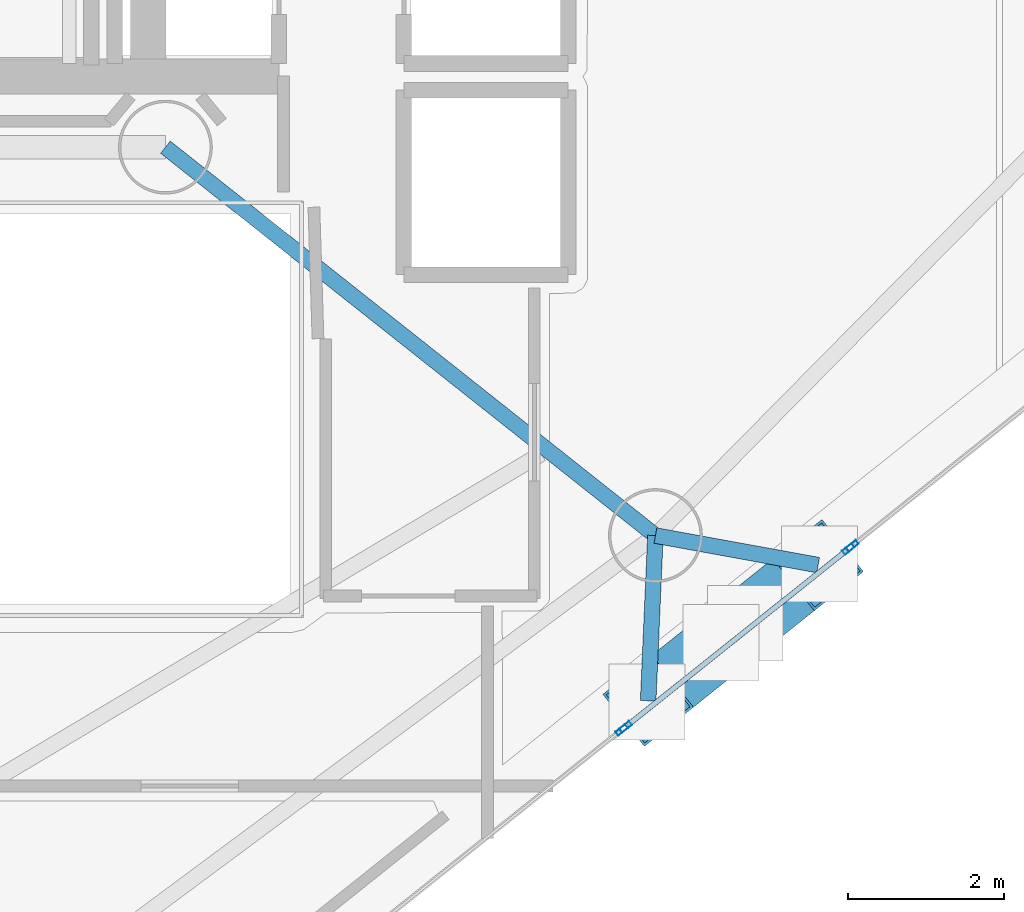
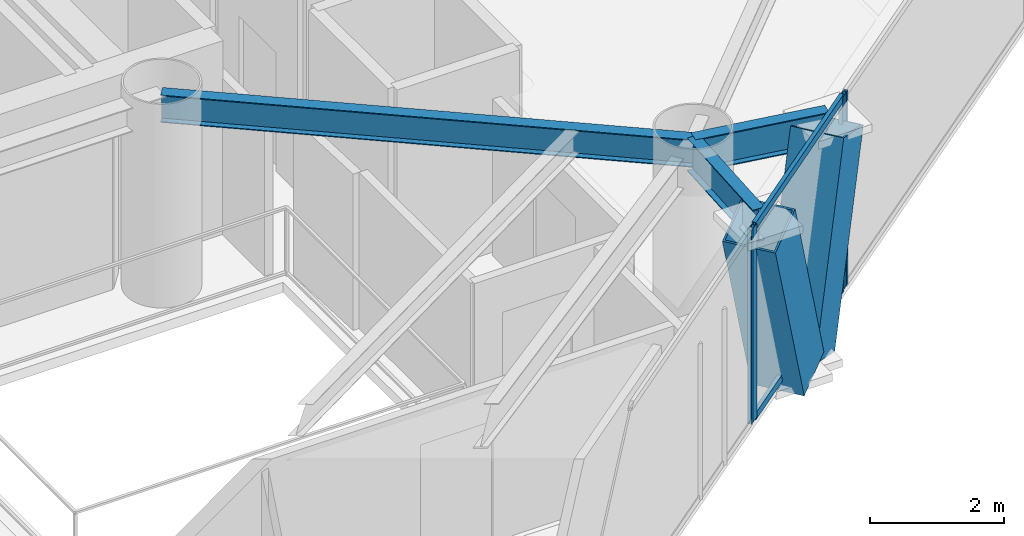
# One storey, part 5 of 22: 8 members, 3 beams, 3 elements without a shape of their own.
"""IFC4 building model written with IfcOpenShell, lengths in metres."""

from ifc_helpers import new_model, si_unit, direction, frame, origin, origin_2d, place, context, subcontext, project, spatial, hollow_rectangle, i_section, extrude, material, layer, layer_set, material_profile, profile_set, type_object, element, aggregate, save


model = new_model("IFC4")

# Units and contexts
model_context = context("Model", 3, precision=1e-05, world=origin(), true_north=direction((0.0, 1.0)))
body_context = subcontext(model_context, "Body", "Model", "MODEL_VIEW")
ifc_project = project(units=[si_unit("LENGTHUNIT", "METRE"), si_unit("AREAUNIT", "SQUARE_METRE"), si_unit("VOLUMEUNIT", "CUBIC_METRE"), si_unit("PLANEANGLEUNIT", "RADIAN"), si_unit("MASSUNIT", "GRAM", prefix="KILO")], contexts=[model_context])

# Site, building, storey
site_placement = place(None, origin())
site = spatial("IfcSite", under=ifc_project, at=site_placement, CompositionType="ELEMENT")
building_placement = place(site_placement, origin())
building = spatial("IfcBuilding", under=site, at=building_placement, Name="Qianvela Tower", CompositionType="ELEMENT")
storey_placement = place(building_placement, frame((0.0, 0.0, 207.699951171875)))
storey = spatial("IfcBuildingStorey", under=building, at=storey_placement, Name="L53", CompositionType="ELEMENT", Elevation=207.699951171875)

# Beams
ifc_material_1 = material(Name="Steel Q355B", Category="steel")
ifc_material_profile_1 = material_profile(ifc_material_1, i_section(OverallWidth=0.199951171875, OverallDepth=0.5, WebThickness=0.010009765625, FlangeThickness=0.01611328125, at=origin_2d()), Name="HN500x200x10x16")
ifc_profile_set_1 = profile_set([ifc_material_profile_1], Name="Steel Q355B")
beam_type_1 = type_object("IfcBeamType", Name="BM-HN500-GIRD", PredefinedType="BEAM", material=ifc_profile_set_1)
beam_placement = place(storey_placement, frame((38.39990234375, 23.85009765625, 3.26806640625), z_axis=(0.783705217119, -0.621132942824, 0.0), x_axis=(0.621132942824, 0.783705217119, 0.0)))
element("IfcBeam", 1, at=beam_placement, inside=storey, type_object=beam_type_1, Name="L53 Radial Primary Floor Girder 6", PredefinedType="BEAM", context=body_context, shape_type="SweptSolid", body=[
    extrude(i_section(OverallWidth=0.199951171875, OverallDepth=0.5, WebThickness=0.010009765625, FlangeThickness=0.01611328125, at=origin_2d()), origin(), (0.0, 0.0, 1.0), 7.996826171875),
])
ifc_material_2 = material(Name="Steel Q355B", Category="steel")
ifc_material_profile_2 = material_profile(ifc_material_2, i_section(OverallWidth=0.199951171875, OverallDepth=0.60009765625, WebThickness=0.010986328125, FlangeThickness=0.01708984375, at=origin_2d()), Name="HN600x200x11x17")
ifc_profile_set_2 = profile_set([ifc_material_profile_2], Name="Steel Q355B")
beam_type_2 = type_object("IfcBeamType", Name="BM-HN600-GIRD", PredefinedType="BEAM", material=ifc_profile_set_2)
for number, where, z_axis, x_axis, name in (
    (2, (44.6669921875, 18.883056640625, 3.218017578125), (-0.043847831382, -0.999038221332, 0.0), (0.999038221332, -0.043847831382, 0.0), "L53 Mega-Brace Column Tie Bracket F3-1"),
    (3, (44.6669921875, 18.883056640625, 3.218017578125), (0.98387360259, -0.178865128315, 0.0), (0.178865128315, 0.98387360259, 0.0), "L53 Mega-Brace Column Tie Bracket F3-2"),
):
    element("IfcBeam", number, at=place(storey_placement, frame(where, z_axis=z_axis, x_axis=x_axis)), inside=storey, type_object=beam_type_2, Name=name, PredefinedType="BEAM", context=body_context, shape_type="SweptSolid", body=[
        extrude(i_section(OverallWidth=0.199951171875, OverallDepth=0.60009765625, WebThickness=0.010986328125, FlangeThickness=0.01708984375, at=origin_2d()), origin(), (0.0, 0.0, 1.0), 2.11572265625),
    ])

# Curtain wall, members
ifc_material_3 = material(Name="Anodised Architectural Aluminium and Insulated Spandrel Panel", Category="aluminium")
ifc_layer_1 = layer(ifc_material_3, 0.179931640625)
ifc_layer_set_1 = layer_set([ifc_layer_1], Name="Anodised Architectural Aluminium and Insulated Spandrel Panel")
curtain_wall_type_1 = type_object("IfcCurtainWallType", Name="CW-BRACEBAY", PredefinedType="USERDEFINED", material=ifc_layer_set_1)
curtain_wall_1_placement = place(storey_placement, origin())
curtain_wall_1 = element("IfcCurtainWall", 4, at=curtain_wall_1_placement, inside=storey, type_object=curtain_wall_type_1, Name="L53 CW-BRACEBAY Curtain Wall 06B", ObjectType="CURTAIN_WALL_SYSTEM", PredefinedType="USERDEFINED")
ifc_material_4 = material(Name="Anodised Architectural Aluminium 6063-T6", Category="aluminium")
ifc_material_profile_3 = material_profile(ifc_material_4, hollow_rectangle(XDim=0.06494140625, YDim=0.159912109375, WallThickness=0.0048828125, at=origin_2d()), Name="ALU-MULL-65x160")
ifc_profile_set_3 = profile_set([ifc_material_profile_3], Name="Anodised Architectural Aluminium 6063-T6")
member_type_1 = type_object("IfcMemberType", Name="CW-BRACEBAY-MULL", PredefinedType="MULLION", material=ifc_profile_set_3)
member_1_placement = place(storey_placement, frame((44.28662109375, 16.4375, 0.0), z_axis=(0.0, 0.0, 1.0), x_axis=(-0.62378079685, 0.781599333086, 0.0)))
member_1 = element("IfcMember", 5, at=member_1_placement, type_object=member_type_1, Name="CW-9 mullion 1", PredefinedType="MULLION", context=body_context, shape_type="SweptSolid", body=[
    extrude(hollow_rectangle(XDim=0.06494140625, YDim=0.159912109375, WallThickness=0.0048828125, at=origin_2d()), origin(), (0.0, 0.0, 1.0), 3.52001953125),
])
member_2_placement = place(storey_placement, frame((47.135498046875, 18.711181640625, 0.0), z_axis=(0.0, 0.0, 1.0), x_axis=(-0.62378079685, 0.781599333086, 0.0)))
member_2 = element("IfcMember", 6, at=member_2_placement, type_object=member_type_1, Name="CW-9 mullion 2", PredefinedType="MULLION", context=body_context, shape_type="SweptSolid", body=[
    extrude(hollow_rectangle(XDim=0.06494140625, YDim=0.159912109375, WallThickness=0.0048828125, at=origin_2d()), origin(), (0.0, 0.0, 1.0), 3.52001953125),
])
ifc_material_5 = material(Name="Anodised Architectural Aluminium 6063-T6", Category="aluminium")
ifc_material_profile_4 = material_profile(ifc_material_5, hollow_rectangle(XDim=0.06494140625, YDim=0.1298828125, WallThickness=0.00439453125, at=origin_2d()), Name="ALU-TRAN-65x130")
ifc_profile_set_4 = profile_set([ifc_material_profile_4], Name="Anodised Architectural Aluminium 6063-T6")
member_type_2 = type_object("IfcMemberType", Name="CW-BRACEBAY-TRAN", PredefinedType="USERDEFINED", material=ifc_profile_set_4)
member_3_placement = place(storey_placement, frame((44.31201171875, 16.457763671875, 0.032470703125), z_axis=(0.781593488702, 0.623788119812, 0.0), x_axis=(-0.623788119812, 0.781593488702, 0.0)))
member_3 = element("IfcMember", 7, at=member_3_placement, type_object=member_type_2, Name="CW-9 transom 1.1", ObjectType="TRANSOM", PredefinedType="USERDEFINED", context=body_context, shape_type="SweptSolid", body=[
    extrude(hollow_rectangle(XDim=0.06494140625, YDim=0.1298828125, WallThickness=0.00439453125, at=origin_2d()), origin(), (0.0, 0.0, 1.0), 3.580078125),
])
member_4_placement = place(storey_placement, frame((44.31201171875, 16.457763671875, 3.487548828125), z_axis=(0.781593488702, 0.623788119812, 0.0), x_axis=(-0.623788119812, 0.781593488702, 0.0)))
member_4 = element("IfcMember", 8, at=member_4_placement, type_object=member_type_2, Name="CW-9 transom 1.2", ObjectType="TRANSOM", PredefinedType="USERDEFINED", context=body_context, shape_type="SweptSolid", body=[
    extrude(hollow_rectangle(XDim=0.06494140625, YDim=0.1298828125, WallThickness=0.00439453125, at=origin_2d()), origin(), (0.0, 0.0, 1.0), 3.580078125),
])
aggregate(curtain_wall_1, [member_1, member_2, member_3, member_4])

# Curtain wall, member
ifc_material_6 = material(Name="Anodised Architectural Aluminium and Low-E Glass", Category="aluminium")
ifc_layer_2 = layer(ifc_material_6, 0.159912109375)
ifc_layer_set_2 = layer_set([ifc_layer_2], Name="Anodised Architectural Aluminium and Low-E Glass")
curtain_wall_type_2 = type_object("IfcCurtainWallType", Name="CW-COLIV-Z56", PredefinedType="USERDEFINED", material=ifc_layer_set_2)
curtain_wall_2_placement = place(storey_placement, origin())
curtain_wall_2 = element("IfcCurtainWall", 9, at=curtain_wall_2_placement, inside=storey, type_object=curtain_wall_type_2, Name="L53 CW-COLIV-Z56 Curtain Wall 06A", ObjectType="CURTAIN_WALL_SYSTEM", PredefinedType="USERDEFINED")
ifc_material_7 = material(Name="Anodised Architectural Aluminium 6063-T6", Category="aluminium")
ifc_material_profile_5 = material_profile(ifc_material_7, hollow_rectangle(XDim=0.06494140625, YDim=0.159912109375, WallThickness=0.0048828125, at=origin_2d()), Name="ALU-MULL-65x160")
ifc_profile_set_5 = profile_set([ifc_material_profile_5], Name="Anodised Architectural Aluminium 6063-T6")
member_type_3 = type_object("IfcMemberType", Name="CW-COLIV-Z56-MULL", PredefinedType="MULLION", material=ifc_profile_set_5)
member_5_placement = place(storey_placement, frame((44.235595703125, 16.39697265625, 0.0), z_axis=(0.0, 0.0, 1.0), x_axis=(-0.62378339675, 0.781597258145, 0.0)))
member_5 = element("IfcMember", 10, at=member_5_placement, type_object=member_type_3, Name="CW-5 mullion 3", PredefinedType="MULLION", context=body_context, shape_type="SweptSolid", body=[
    extrude(hollow_rectangle(XDim=0.06494140625, YDim=0.159912109375, WallThickness=0.0048828125, at=origin_2d()), origin(), (0.0, 0.0, 1.0), 3.52001953125),
])
aggregate(curtain_wall_2, [member_5])

curtain_wall_3_placement = place(storey_placement, origin())
curtain_wall_3 = element("IfcCurtainWall", 11, at=curtain_wall_3_placement, inside=storey, type_object=curtain_wall_type_2, Name="L53 CW-COLIV-Z56 Curtain Wall 06C", ObjectType="CURTAIN_WALL_SYSTEM", PredefinedType="USERDEFINED")
member_6_placement = place(storey_placement, frame((47.186279296875, 18.751708984375, 0.0), z_axis=(0.0, 0.0, 1.0), x_axis=(-0.623783388074, 0.781597265069, 0.0)))
member_6 = element("IfcMember", 12, at=member_6_placement, type_object=member_type_3, Name="CW-5 mullion 1", PredefinedType="MULLION", context=body_context, shape_type="SweptSolid", body=[
    extrude(hollow_rectangle(XDim=0.06494140625, YDim=0.159912109375, WallThickness=0.0048828125, at=origin_2d()), origin(), (0.0, 0.0, 1.0), 3.52001953125),
])
aggregate(curtain_wall_3, [member_6])

# Members
ifc_material_8 = material(Name="Steel Q420GJC", Category="steel")
ifc_material_profile_6 = material_profile(ifc_material_8, hollow_rectangle(XDim=0.85009765625, YDim=0.85009765625, WallThickness=0.031982421875, at=origin_2d()), Name="MBOX-850x850x32")
ifc_profile_set_6 = profile_set([ifc_material_profile_6], Name="Steel Q420GJC")
member_type_4 = type_object("IfcMemberType", Name="MBR-MBRACE-850", PredefinedType="BRACE", material=ifc_profile_set_6)
for number, where, z_axis, x_axis, name in (
    (13, (45.489501953125, 17.499755859375, -0.139892578125), (-0.257373392246, -0.205404425073, 0.94422876419), (0.623779329846, -0.781600503875, 0.0), "L53 Tier 9 Exterior Mega-Brace F3A"),
    (14, (45.833251953125, 17.7744140625, -0.139892578125), (0.257377021006, 0.205338668933, 0.944242077065), (-0.623651943239, 0.781702151522, 0.0), "L53 Tier 9 Exterior Mega-Brace F3B"),
):
    element("IfcMember", number, at=place(storey_placement, frame(where, z_axis=z_axis, x_axis=x_axis)), inside=storey, type_object=member_type_4, Name=name, PredefinedType="BRACE", context=body_context, shape_type="SweptSolid", body=[
        extrude(hollow_rectangle(XDim=0.85009765625, YDim=0.85009765625, WallThickness=0.031982421875, at=origin_2d()), origin(), (0.0, 0.0, 1.0), 3.55615234375),
    ])

save(model, "model.ifc")
